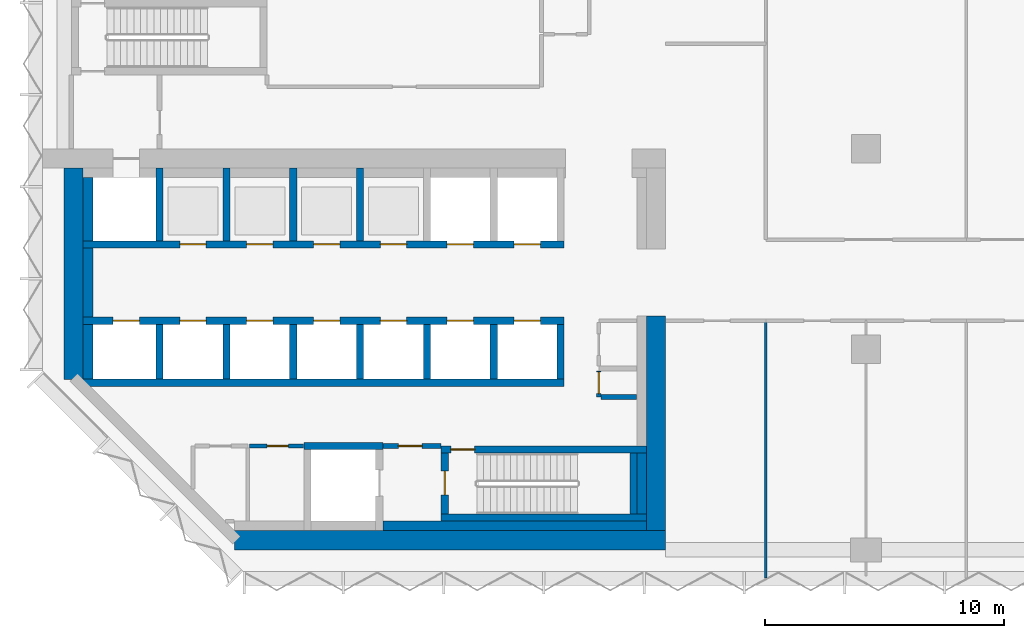
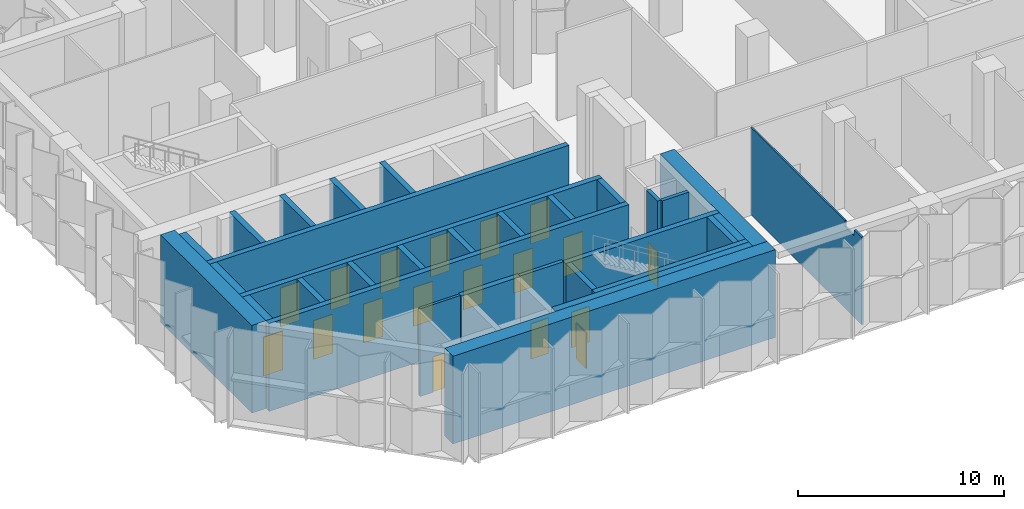
# One storey, part 8 of 15: 32 walls, 18 doors, 18 openings.
"""IFC4 building model written with IfcOpenShell, lengths in metres."""

from ifc_helpers import new_model, si_unit, direction, frame, frame_2d, origin, place, context, subcontext, project, spatial, polyline, rectangle, outline, extrude, material, layer, layer_set, type_object, element, fill, save


model = new_model("IFC4")

# Units and contexts
model_context = context("Model", 3, precision=1e-05, world=origin(), true_north=direction((0.0, 1.0)))
body_context = subcontext(model_context, "Body", "Model", "MODEL_VIEW")
ifc_project = project(units=[si_unit("LENGTHUNIT", "METRE"), si_unit("AREAUNIT", "SQUARE_METRE"), si_unit("VOLUMEUNIT", "CUBIC_METRE"), si_unit("PLANEANGLEUNIT", "RADIAN"), si_unit("MASSUNIT", "GRAM", prefix="KILO")], contexts=[model_context])

# Site, building, storey
site_placement = place(None, origin())
site = spatial("IfcSite", under=ifc_project, at=site_placement, CompositionType="ELEMENT")
building_placement = place(site_placement, origin())
building = spatial("IfcBuilding", under=site, at=building_placement, Name="Brevane Broadcast Tower", CompositionType="ELEMENT")
storey_placement = place(building_placement, frame((0.0, 0.0, 156.5)))
storey = spatial("IfcBuildingStorey", under=building, at=storey_placement, Name="L39", CompositionType="ELEMENT", Elevation=156.5)

# Walls
ifc_material_1 = material(Name="Concrete C32/40", Category="concrete")
ifc_layer_1 = layer(ifc_material_1, 0.39990234375)
ifc_layer_set_1 = layer_set([ifc_layer_1], Name="Core chase wall 400 mm")
wall_type_1 = type_object("IfcWallType", Name="Core chase wall 400 mm", PredefinedType="PARTITIONING", material=ifc_layer_set_1)
wall_1_placement = place(storey_placement, frame((1.0, 7.14990234375, 0.0), z_axis=(0.0, 0.0, 1.0), x_axis=(0.0, 1.0, 0.0)))
element("IfcWall", 1, at=wall_1_placement, inside=storey, type_object=wall_type_1, Name="L39 chase wall LW-2-1", PredefinedType="PARTITIONING", context=body_context, shape_type="SweptSolid", body=[
    extrude(rectangle(XDim=2.300048828125, YDim=0.39990234375, at=frame_2d((1.14990234375, 0.0))), origin(), (0.0, 0.0, 1.0), 5.199951171875),
])
wall_2_placement = place(storey_placement, frame((1.0, 9.75, 0.0), z_axis=(0.0, 0.0, 1.0), x_axis=(0.0, 1.0, 0.0)))
element("IfcWall", 2, at=wall_2_placement, inside=storey, type_object=wall_type_1, Name="L39 chase wall LW-2-2-1", PredefinedType="PARTITIONING", context=body_context, shape_type="SweptSolid", body=[
    extrude(rectangle(XDim=2.89990234375, YDim=0.39990234375, at=frame_2d((1.449951171875, 0.0))), origin(), (0.0, 0.0, 1.0), 5.199951171875),
])
wall_3_placement = place(storey_placement, frame((1.0, 12.949951171875, 0.0), z_axis=(0.0, 0.0, 1.0), x_axis=(0.0, 1.0, 0.0)))
element("IfcWall", 3, at=wall_3_placement, inside=storey, type_object=wall_type_1, Name="L39 chase wall LW-2-2-2", PredefinedType="PARTITIONING", context=body_context, shape_type="SweptSolid", body=[
    extrude(rectangle(XDim=2.650146484375, YDim=0.39990234375, at=frame_2d((1.3251953125, 0.0))), origin(), (0.0, 0.0, 1.0), 5.199951171875),
])
wall_4_placement = place(storey_placement, frame((13.35009765625, 1.0, 0.0), z_axis=(0.0, 0.0, 1.0), x_axis=(1.0, 0.0, 0.0)))
element("IfcWall", 4, at=wall_4_placement, inside=storey, type_object=wall_type_1, Name="L39 chase wall LS-2-2", PredefinedType="PARTITIONING", context=body_context, shape_type="SweptSolid", body=[
    extrude(rectangle(XDim=11.0498046875, YDim=0.39990234375, at=frame_2d((5.52490234375, 0.0))), origin(), (0.0, 0.0, 1.0), 5.199951171875),
])
wall_5_placement = place(storey_placement, frame((24.199951171875, 1.5, 0.0), z_axis=(0.0, 0.0, 1.0), x_axis=(0.0, 1.0, 0.0)))
element("IfcWall", 5, at=wall_5_placement, inside=storey, type_object=wall_type_1, Name="L39 chase wall LE1-2-1", PredefinedType="PARTITIONING", context=body_context, shape_type="SweptSolid", body=[
    extrude(rectangle(XDim=2.550048828125, YDim=0.39990234375, at=frame_2d((1.27490234375, 0.0))), origin(), (0.0, 0.0, 1.0), 5.199951171875),
])

# Wall, opening, door
ifc_material_2 = material(Name="Gypsum board on steel studs", Category="steel")
ifc_layer_2 = layer(ifc_material_2, 0.14990234375)
ifc_layer_set_2 = layer_set([ifc_layer_2], Name="Core fire partition 150 mm")
wall_type_2 = type_object("IfcWallType", Name="Core fire partition 150 mm", PredefinedType="PARTITIONING", material=ifc_layer_set_2)
wall_6_placement = place(storey_placement, frame((10.0380859375, 4.35009765625, 0.0), z_axis=(0.0, 0.0, 1.0), x_axis=(-1.0, 0.0, 0.0)))
wall_6 = element("IfcWall", 6, at=wall_6_placement, inside=storey, type_object=wall_type_2, Name="L39 partition wall P11", PredefinedType="PARTITIONING", context=body_context, shape_type="SweptSolid", body=[
    extrude(rectangle(XDim=2.26318359375, YDim=0.14990234375, at=frame_2d((1.131591796875, 0.0))), origin(), (0.0, 0.0, 1.0), 5.199951171875),
])
opening_1_placement = place(wall_6_placement, frame((0.637939453125, 0.0, 0.0)))
opening_1 = element("IfcOpeningElement", 7, at=opening_1_placement, cuts=wall_6, Name="Opening L39-K23", PredefinedType="OPENING", context=body_context, shape_type="SweptSolid", body=[
    extrude(rectangle(XDim=0.89990234375, YDim=2.10009765625, at=frame_2d((0.449951171875, 1.050048828125))), frame((0.0, 0.0849609375, 0.0), z_axis=(0.0, -1.0, 0.0), x_axis=(1.0, 0.0, 0.0)), (0.0, 0.0, 1.0), 0.169921875),
])
ifc_material_3 = material(Name="Timber", Category="wood")
door_type_1 = type_object("IfcDoorType", Name="Toilet door 900 x 2100", OperationType="SINGLE_SWING_LEFT", PredefinedType="DOOR", material=ifc_material_3)
door_1_placement = place(opening_1_placement, origin())
door_1 = element("IfcDoor", 8, at=door_1_placement, inside=storey, type_object=door_type_1, Name="Door L39-K23", OperationType="SINGLE_SWING_LEFT", OverallHeight=2.10009765625, OverallWidth=0.89990234375, PredefinedType="DOOR", context=body_context, shape_type="SweptSolid", body=[
    extrude(rectangle(XDim=0.89990234375, YDim=2.10009765625, at=frame_2d((0.449951171875, 1.050048828125))), frame((0.0, 0.02490234375, 0.0), z_axis=(0.0, -1.0, 0.0), x_axis=(1.0, 0.0, 0.0)), (0.0, 0.0, 1.0), 0.050048828125),
])
fill(opening_1, door_1)

ifc_layer_3 = layer(ifc_material_2, 0.199951171875)
ifc_layer_set_3 = layer_set([ifc_layer_3], Name="Core fire partition 200 mm")
wall_type_3 = type_object("IfcWallType", Name="Core fire partition 200 mm", PredefinedType="PARTITIONING", material=ifc_layer_set_3)
wall_7_placement = place(storey_placement, frame((13.362060546875, 4.35009765625, 0.0), z_axis=(0.0, 0.0, 1.0), x_axis=(1.0, 0.0, 0.0)))
wall_7 = element("IfcWall", 9, at=wall_7_placement, inside=storey, type_object=wall_type_3, Name="L39 partition wall P03", PredefinedType="PARTITIONING", context=body_context, shape_type="SweptSolid", body=[
    extrude(rectangle(XDim=2.426025390625, YDim=0.199951171875, at=frame_2d((1.212890625, 0.0))), origin(), (0.0, 0.0, 1.0), 5.199951171875),
])
opening_2_placement = place(wall_7_placement, frame((0.637939453125, 0.0, 0.0)))
opening_2 = element("IfcOpeningElement", 10, at=opening_2_placement, cuts=wall_7, Name="Opening L39-K24", PredefinedType="OPENING", context=body_context, shape_type="SweptSolid", body=[
    extrude(rectangle(XDim=1.0, YDim=2.10009765625, at=frame_2d((0.5, 1.050048828125))), frame((0.0, 0.10986328125, 0.0), z_axis=(0.0, -1.0, 0.0), x_axis=(1.0, 0.0, 0.0)), (0.0, 0.0, 1.0), 0.219970703125),
])
ifc_material_4 = material(Name="Steel", Category="steel")
door_type_2 = type_object("IfcDoorType", Name="Stair door 1000 x 2100", OperationType="SINGLE_SWING_LEFT", PredefinedType="DOOR", material=ifc_material_4)
door_2_placement = place(opening_2_placement, origin())
door_2 = element("IfcDoor", 11, at=door_2_placement, inside=storey, type_object=door_type_2, Name="Door L39-K24", OperationType="SINGLE_SWING_RIGHT", OverallHeight=2.10009765625, OverallWidth=1.0, PredefinedType="DOOR", context=body_context, shape_type="SweptSolid", body=[
    extrude(rectangle(XDim=1.0, YDim=2.10009765625, at=frame_2d((0.5, 1.050048828125))), frame((0.0, 0.02490234375, 0.0), z_axis=(0.0, -1.0, 0.0), x_axis=(1.0, 0.0, 0.0)), (0.0, 0.0, 1.0), 0.050048828125),
])
fill(opening_2, door_2)

wall_8_placement = place(storey_placement, frame((22.39990234375, 7.5, 0.0), z_axis=(0.0, 0.0, 1.0), x_axis=(0.0, -1.0, 0.0)))
wall_8 = element("IfcWall", 12, at=wall_8_placement, inside=storey, type_object=wall_type_3, Name="L39 partition wall P05", PredefinedType="PARTITIONING", context=body_context, shape_type="SweptSolid", body=[
    extrude(rectangle(XDim=1.10009765625, YDim=0.199951171875, at=frame_2d((0.550048828125, 0.0))), origin(), (0.0, 0.0, 1.0), 5.199951171875),
])
opening_3_placement = place(wall_8_placement, frame((0.050048828125, 0.0, 0.0)))
opening_3 = element("IfcOpeningElement", 13, at=opening_3_placement, cuts=wall_8, Name="Opening L39-K25", PredefinedType="OPENING", context=body_context, shape_type="SweptSolid", body=[
    extrude(rectangle(XDim=0.89990234375, YDim=2.10009765625, at=frame_2d((0.449951171875, 1.050048828125))), frame((0.0, 0.10986328125, 0.0), z_axis=(0.0, -1.0, 0.0), x_axis=(1.0, 0.0, 0.0)), (0.0, 0.0, 1.0), 0.219970703125),
])
door_type_3 = type_object("IfcDoorType", Name="Service room door 900 x 2100", OperationType="SINGLE_SWING_LEFT", PredefinedType="DOOR", material=ifc_material_4)
door_3_placement = place(opening_3_placement, origin())
door_3 = element("IfcDoor", 14, at=door_3_placement, inside=storey, type_object=door_type_3, Name="Door L39-K25", OperationType="SINGLE_SWING_LEFT", OverallHeight=2.10009765625, OverallWidth=0.89990234375, PredefinedType="DOOR", context=body_context, shape_type="SweptSolid", body=[
    extrude(rectangle(XDim=0.89990234375, YDim=2.10009765625, at=frame_2d((0.449951171875, 1.050048828125))), frame((0.0, 0.02490234375, 0.0), z_axis=(0.0, -1.0, 0.0), x_axis=(1.0, 0.0, 0.0)), (0.0, 0.0, 1.0), 0.050048828125),
])
fill(opening_3, door_3)

# Walls
wall_9_placement = place(storey_placement, frame((22.5, 6.39990234375, 0.0), z_axis=(0.0, 0.0, 1.0), x_axis=(1.0, 0.0, 0.0)))
element("IfcWall", 15, at=wall_9_placement, inside=storey, type_object=wall_type_3, Name="L39 partition wall P06", PredefinedType="PARTITIONING", context=body_context, shape_type="SweptSolid", body=[
    extrude(rectangle(XDim=1.488037109375, YDim=0.199951171875, at=frame_2d((0.744140625, 0.0))), origin(), (0.0, 0.0, 1.0), 5.199951171875),
])
ifc_material_5 = material(Name="Concrete C60/75", Category="concrete")
ifc_layer_4 = layer(ifc_material_5, 0.300048828125)
ifc_layer_set_4 = layer_set([ifc_layer_4], Name="Core wall 300 mm C60/75")
wall_type_4 = type_object("IfcWallType", Name="Core wall 300 mm C60/75", PredefinedType="SHEAR", material=ifc_layer_set_4)
wall_10_placement = place(storey_placement, frame((0.800048828125, 7.0, 0.0), z_axis=(0.0, 0.0, 1.0), x_axis=(1.0, 0.0, 0.0)))
element("IfcWall", 16, at=wall_10_placement, inside=storey, type_object=wall_type_4, Name="L39 shaft wall SH-S012-back", PredefinedType="SHEAR", context=body_context, shape_type="SweptSolid", body=[
    extrude(rectangle(XDim=20.14990234375, YDim=0.300048828125, at=frame_2d((10.074951171875, 0.0))), origin(), (0.0, 0.0, 1.0), 5.199951171875),
])

# Wall, openings, doors
wall_11_placement = place(storey_placement, frame((0.800048828125, 9.60009765625, 0.0), z_axis=(0.0, 0.0, 1.0), x_axis=(1.0, 0.0, 0.0)))
wall_11 = element("IfcWall", 17, at=wall_11_placement, inside=storey, type_object=wall_type_4, Name="L39 shaft wall SH-S012-front", PredefinedType="SHEAR", context=body_context, shape_type="SweptSolid", body=[
    extrude(rectangle(XDim=20.14990234375, YDim=0.300048828125, at=frame_2d((10.074951171875, 0.0))), origin(), (0.0, 0.0, 1.0), 5.199951171875),
])
opening_4_placement = place(wall_11_placement, frame((1.25, 0.0, 0.0)))
opening_4 = element("IfcOpeningElement", 18, at=opening_4_placement, cuts=wall_11, Name="Opening LD", PredefinedType="OPENING", context=body_context, shape_type="SweptSolid", body=[
    extrude(rectangle(XDim=1.10009765625, YDim=2.300048828125, at=frame_2d((0.550048828125, 1.14990234375))), frame((0.0, 0.159912109375, 0.0), z_axis=(0.0, -1.0, 0.0), x_axis=(1.0, 0.0, 0.0)), (0.0, 0.0, 1.0), 0.320068359375),
])
opening_5_placement = place(wall_11_placement, frame((4.050048828125, 0.0, 0.0)))
opening_5 = element("IfcOpeningElement", 19, at=opening_5_placement, cuts=wall_11, Name="Opening LD", PredefinedType="OPENING", context=body_context, shape_type="SweptSolid", body=[
    extrude(rectangle(XDim=1.10009765625, YDim=2.300048828125, at=frame_2d((0.550048828125, 1.14990234375))), frame((0.0, 0.159912109375, 0.0), z_axis=(0.0, -1.0, 0.0), x_axis=(1.0, 0.0, 0.0)), (0.0, 0.0, 1.0), 0.320068359375),
])
opening_6_placement = place(wall_11_placement, frame((6.85009765625, 0.0, 0.0)))
opening_6 = element("IfcOpeningElement", 20, at=opening_6_placement, cuts=wall_11, Name="Opening LD", PredefinedType="OPENING", context=body_context, shape_type="SweptSolid", body=[
    extrude(rectangle(XDim=1.10009765625, YDim=2.300048828125, at=frame_2d((0.550048828125, 1.14990234375))), frame((0.0, 0.159912109375, 0.0), z_axis=(0.0, -1.0, 0.0), x_axis=(1.0, 0.0, 0.0)), (0.0, 0.0, 1.0), 0.320068359375),
])
opening_7_placement = place(wall_11_placement, frame((9.64990234375, 0.0, 0.0)))
opening_7 = element("IfcOpeningElement", 21, at=opening_7_placement, cuts=wall_11, Name="Opening LD", PredefinedType="OPENING", context=body_context, shape_type="SweptSolid", body=[
    extrude(rectangle(XDim=1.10009765625, YDim=2.300048828125, at=frame_2d((0.550048828125, 1.14990234375))), frame((0.0, 0.159912109375, 0.0), z_axis=(0.0, -1.0, 0.0), x_axis=(1.0, 0.0, 0.0)), (0.0, 0.0, 1.0), 0.320068359375),
])
opening_8_placement = place(wall_11_placement, frame((12.449951171875, 0.0, 0.0)))
opening_8 = element("IfcOpeningElement", 22, at=opening_8_placement, cuts=wall_11, Name="Opening LD", PredefinedType="OPENING", context=body_context, shape_type="SweptSolid", body=[
    extrude(rectangle(XDim=1.10009765625, YDim=2.300048828125, at=frame_2d((0.550048828125, 1.14990234375))), frame((0.0, 0.159912109375, 0.0), z_axis=(0.0, -1.0, 0.0), x_axis=(1.0, 0.0, 0.0)), (0.0, 0.0, 1.0), 0.320068359375),
])
opening_9_placement = place(wall_11_placement, frame((15.25, 0.0, 0.0)))
opening_9 = element("IfcOpeningElement", 23, at=opening_9_placement, cuts=wall_11, Name="Opening LD", PredefinedType="OPENING", context=body_context, shape_type="SweptSolid", body=[
    extrude(rectangle(XDim=1.10009765625, YDim=2.300048828125, at=frame_2d((0.550048828125, 1.14990234375))), frame((0.0, 0.159912109375, 0.0), z_axis=(0.0, -1.0, 0.0), x_axis=(1.0, 0.0, 0.0)), (0.0, 0.0, 1.0), 0.320068359375),
])
opening_10_placement = place(wall_11_placement, frame((18.050048828125, 0.0, 0.0)))
opening_10 = element("IfcOpeningElement", 24, at=opening_10_placement, cuts=wall_11, Name="Opening LD", PredefinedType="OPENING", context=body_context, shape_type="SweptSolid", body=[
    extrude(rectangle(XDim=1.10009765625, YDim=2.300048828125, at=frame_2d((0.550048828125, 1.14990234375))), frame((0.0, 0.159912109375, 0.0), z_axis=(0.0, -1.0, 0.0), x_axis=(1.0, 0.0, 0.0)), (0.0, 0.0, 1.0), 0.320068359375),
])
ifc_material_6 = material(Name="Stainless steel", Category="steel")
door_type_4 = type_object("IfcDoorType", Name="Lift landing door", OperationType="SLIDING_TO_LEFT", PredefinedType="DOOR", material=ifc_material_6)
door_4_placement = place(opening_4_placement, origin())
door_4 = element("IfcDoor", 25, at=door_4_placement, inside=storey, type_object=door_type_4, Name="Landing door LR1 L39", OperationType="SLIDING_TO_LEFT", OverallHeight=2.300048828125, OverallWidth=1.10009765625, PredefinedType="DOOR", context=body_context, shape_type="SweptSolid", body=[
    extrude(rectangle(XDim=1.10009765625, YDim=2.300048828125, at=frame_2d((0.550048828125, 1.14990234375))), frame((0.0, 0.02490234375, 0.0), z_axis=(0.0, -1.0, 0.0), x_axis=(1.0, 0.0, 0.0)), (0.0, 0.0, 1.0), 0.050048828125),
])
fill(opening_4, door_4)
door_5_placement = place(opening_5_placement, origin())
door_5 = element("IfcDoor", 26, at=door_5_placement, inside=storey, type_object=door_type_4, Name="Landing door LR2 L39", OperationType="SLIDING_TO_LEFT", OverallHeight=2.300048828125, OverallWidth=1.10009765625, PredefinedType="DOOR", context=body_context, shape_type="SweptSolid", body=[
    extrude(rectangle(XDim=1.10009765625, YDim=2.300048828125, at=frame_2d((0.550048828125, 1.14990234375))), frame((0.0, 0.02490234375, 0.0), z_axis=(0.0, -1.0, 0.0), x_axis=(1.0, 0.0, 0.0)), (0.0, 0.0, 1.0), 0.050048828125),
])
fill(opening_5, door_5)
door_6_placement = place(opening_6_placement, origin())
door_6 = element("IfcDoor", 27, at=door_6_placement, inside=storey, type_object=door_type_4, Name="Landing door LR3 L39", OperationType="SLIDING_TO_LEFT", OverallHeight=2.300048828125, OverallWidth=1.10009765625, PredefinedType="DOOR", context=body_context, shape_type="SweptSolid", body=[
    extrude(rectangle(XDim=1.10009765625, YDim=2.300048828125, at=frame_2d((0.550048828125, 1.14990234375))), frame((0.0, 0.02490234375, 0.0), z_axis=(0.0, -1.0, 0.0), x_axis=(1.0, 0.0, 0.0)), (0.0, 0.0, 1.0), 0.050048828125),
])
fill(opening_6, door_6)
door_7_placement = place(opening_7_placement, origin())
door_7 = element("IfcDoor", 28, at=door_7_placement, inside=storey, type_object=door_type_4, Name="Landing door LR4 L39", OperationType="SLIDING_TO_LEFT", OverallHeight=2.300048828125, OverallWidth=1.10009765625, PredefinedType="DOOR", context=body_context, shape_type="SweptSolid", body=[
    extrude(rectangle(XDim=1.10009765625, YDim=2.300048828125, at=frame_2d((0.550048828125, 1.14990234375))), frame((0.0, 0.02490234375, 0.0), z_axis=(0.0, -1.0, 0.0), x_axis=(1.0, 0.0, 0.0)), (0.0, 0.0, 1.0), 0.050048828125),
])
fill(opening_7, door_7)
door_8_placement = place(opening_8_placement, origin())
door_8 = element("IfcDoor", 29, at=door_8_placement, inside=storey, type_object=door_type_4, Name="Landing door LR5 L39", OperationType="SLIDING_TO_LEFT", OverallHeight=2.300048828125, OverallWidth=1.10009765625, PredefinedType="DOOR", context=body_context, shape_type="SweptSolid", body=[
    extrude(rectangle(XDim=1.10009765625, YDim=2.300048828125, at=frame_2d((0.550048828125, 1.14990234375))), frame((0.0, 0.02490234375, 0.0), z_axis=(0.0, -1.0, 0.0), x_axis=(1.0, 0.0, 0.0)), (0.0, 0.0, 1.0), 0.050048828125),
])
fill(opening_8, door_8)
door_9_placement = place(opening_9_placement, origin())
door_9 = element("IfcDoor", 30, at=door_9_placement, inside=storey, type_object=door_type_4, Name="Landing door LR6 L39", OperationType="SLIDING_TO_LEFT", OverallHeight=2.300048828125, OverallWidth=1.10009765625, PredefinedType="DOOR", context=body_context, shape_type="SweptSolid", body=[
    extrude(rectangle(XDim=1.10009765625, YDim=2.300048828125, at=frame_2d((0.550048828125, 1.14990234375))), frame((0.0, 0.02490234375, 0.0), z_axis=(0.0, -1.0, 0.0), x_axis=(1.0, 0.0, 0.0)), (0.0, 0.0, 1.0), 0.050048828125),
])
fill(opening_9, door_9)
door_10_placement = place(opening_10_placement, origin())
door_10 = element("IfcDoor", 31, at=door_10_placement, inside=storey, type_object=door_type_4, Name="Landing door SH1 L39", OperationType="SLIDING_TO_LEFT", OverallHeight=2.300048828125, OverallWidth=1.10009765625, PredefinedType="DOOR", context=body_context, shape_type="SweptSolid", body=[
    extrude(rectangle(XDim=1.10009765625, YDim=2.300048828125, at=frame_2d((0.550048828125, 1.14990234375))), frame((0.0, 0.02490234375, 0.0), z_axis=(0.0, -1.0, 0.0), x_axis=(1.0, 0.0, 0.0)), (0.0, 0.0, 1.0), 0.050048828125),
])
fill(opening_10, door_10)

# Walls
for number, where, z_axis, x_axis, name in (
    (32, (4.0, 7.14990234375, 0.0), (0.0, 0.0, 1.0), (0.0, 1.0, 0.0), "L39 shaft wall SH-S-P040"),
    (33, (6.800048828125, 7.14990234375, 0.0), (0.0, 0.0, 1.0), (0.0, 1.0, 0.0), "L39 shaft wall SH-S-P068"),
    (34, (9.60009765625, 7.14990234375, 0.0), (0.0, 0.0, 1.0), (0.0, 1.0, 0.0), "L39 shaft wall SH-S-P096"),
    (35, (12.39990234375, 7.14990234375, 0.0), (0.0, 0.0, 1.0), (0.0, 1.0, 0.0), "L39 shaft wall SH-S-P124"),
    (36, (15.199951171875, 7.14990234375, 0.0), (0.0, 0.0, 1.0), (0.0, 1.0, 0.0), "L39 shaft wall SH-S-P152"),
    (37, (18.0, 7.14990234375, 0.0), (0.0, 0.0, 1.0), (0.0, 1.0, 0.0), "L39 shaft wall SH-S-P180"),
    (38, (20.800048828125, 7.14990234375, 0.0), (0.0, 0.0, 1.0), (0.0, 1.0, 0.0), "L39 shaft wall SH-S-P208"),
):
    element("IfcWall", number, at=place(storey_placement, frame(where, z_axis=z_axis, x_axis=x_axis)), inside=storey, type_object=wall_type_4, Name=name, PredefinedType="SHEAR", context=body_context, shape_type="SweptSolid", body=[
        extrude(rectangle(XDim=2.300048828125, YDim=0.300048828125, at=frame_2d((1.14990234375, 0.0))), origin(), (0.0, 0.0, 1.0), 5.199951171875),
    ])

# Wall, openings, doors
wall_12_placement = place(storey_placement, frame((0.800048828125, 12.800048828125, 0.0), z_axis=(0.0, 0.0, 1.0), x_axis=(1.0, 0.0, 0.0)))
wall_12 = element("IfcWall", 39, at=wall_12_placement, inside=storey, type_object=wall_type_4, Name="L39 shaft wall SH-N012-front", PredefinedType="SHEAR", context=body_context, shape_type="SweptSolid", body=[
    extrude(rectangle(XDim=20.14990234375, YDim=0.300048828125, at=frame_2d((10.074951171875, 0.0))), origin(), (0.0, 0.0, 1.0), 5.199951171875),
])
opening_11_placement = place(wall_12_placement, frame((4.050048828125, 0.0, 0.0)))
opening_11 = element("IfcOpeningElement", 40, at=opening_11_placement, cuts=wall_12, Name="Opening LD", PredefinedType="OPENING", context=body_context, shape_type="SweptSolid", body=[
    extrude(rectangle(XDim=1.10009765625, YDim=2.300048828125, at=frame_2d((0.550048828125, 1.14990234375))), frame((0.0, 0.159912109375, 0.0), z_axis=(0.0, -1.0, 0.0), x_axis=(1.0, 0.0, 0.0)), (0.0, 0.0, 1.0), 0.320068359375),
])
opening_12_placement = place(wall_12_placement, frame((6.85009765625, 0.0, 0.0)))
opening_12 = element("IfcOpeningElement", 41, at=opening_12_placement, cuts=wall_12, Name="Opening LD", PredefinedType="OPENING", context=body_context, shape_type="SweptSolid", body=[
    extrude(rectangle(XDim=1.10009765625, YDim=2.300048828125, at=frame_2d((0.550048828125, 1.14990234375))), frame((0.0, 0.159912109375, 0.0), z_axis=(0.0, -1.0, 0.0), x_axis=(1.0, 0.0, 0.0)), (0.0, 0.0, 1.0), 0.320068359375),
])
opening_13_placement = place(wall_12_placement, frame((9.64990234375, 0.0, 0.0)))
opening_13 = element("IfcOpeningElement", 42, at=opening_13_placement, cuts=wall_12, Name="Opening LD", PredefinedType="OPENING", context=body_context, shape_type="SweptSolid", body=[
    extrude(rectangle(XDim=1.10009765625, YDim=2.300048828125, at=frame_2d((0.550048828125, 1.14990234375))), frame((0.0, 0.159912109375, 0.0), z_axis=(0.0, -1.0, 0.0), x_axis=(1.0, 0.0, 0.0)), (0.0, 0.0, 1.0), 0.320068359375),
])
opening_14_placement = place(wall_12_placement, frame((12.449951171875, 0.0, 0.0)))
opening_14 = element("IfcOpeningElement", 43, at=opening_14_placement, cuts=wall_12, Name="Opening LD", PredefinedType="OPENING", context=body_context, shape_type="SweptSolid", body=[
    extrude(rectangle(XDim=1.10009765625, YDim=2.300048828125, at=frame_2d((0.550048828125, 1.14990234375))), frame((0.0, 0.159912109375, 0.0), z_axis=(0.0, -1.0, 0.0), x_axis=(1.0, 0.0, 0.0)), (0.0, 0.0, 1.0), 0.320068359375),
])
opening_15_placement = place(wall_12_placement, frame((15.25, 0.0, 0.0)))
opening_15 = element("IfcOpeningElement", 44, at=opening_15_placement, cuts=wall_12, Name="Opening LD", PredefinedType="OPENING", context=body_context, shape_type="SweptSolid", body=[
    extrude(rectangle(XDim=1.10009765625, YDim=2.300048828125, at=frame_2d((0.550048828125, 1.14990234375))), frame((0.0, 0.159912109375, 0.0), z_axis=(0.0, -1.0, 0.0), x_axis=(1.0, 0.0, 0.0)), (0.0, 0.0, 1.0), 0.320068359375),
])
opening_16_placement = place(wall_12_placement, frame((18.050048828125, 0.0, 0.0)))
opening_16 = element("IfcOpeningElement", 45, at=opening_16_placement, cuts=wall_12, Name="Opening LD", PredefinedType="OPENING", context=body_context, shape_type="SweptSolid", body=[
    extrude(rectangle(XDim=1.10009765625, YDim=2.300048828125, at=frame_2d((0.550048828125, 1.14990234375))), frame((0.0, 0.159912109375, 0.0), z_axis=(0.0, -1.0, 0.0), x_axis=(1.0, 0.0, 0.0)), (0.0, 0.0, 1.0), 0.320068359375),
])
door_11_placement = place(opening_11_placement, origin())
door_11 = element("IfcDoor", 46, at=door_11_placement, inside=storey, type_object=door_type_4, Name="Landing door HR1 L39", OperationType="SLIDING_TO_LEFT", OverallHeight=2.300048828125, OverallWidth=1.10009765625, PredefinedType="DOOR", context=body_context, shape_type="SweptSolid", body=[
    extrude(rectangle(XDim=1.10009765625, YDim=2.300048828125, at=frame_2d((0.550048828125, 1.14990234375))), frame((0.0, 0.02490234375, 0.0), z_axis=(0.0, -1.0, 0.0), x_axis=(1.0, 0.0, 0.0)), (0.0, 0.0, 1.0), 0.050048828125),
])
fill(opening_11, door_11)
door_12_placement = place(opening_12_placement, origin())
door_12 = element("IfcDoor", 47, at=door_12_placement, inside=storey, type_object=door_type_4, Name="Landing door HR2 L39", OperationType="SLIDING_TO_LEFT", OverallHeight=2.300048828125, OverallWidth=1.10009765625, PredefinedType="DOOR", context=body_context, shape_type="SweptSolid", body=[
    extrude(rectangle(XDim=1.10009765625, YDim=2.300048828125, at=frame_2d((0.550048828125, 1.14990234375))), frame((0.0, 0.02490234375, 0.0), z_axis=(0.0, -1.0, 0.0), x_axis=(1.0, 0.0, 0.0)), (0.0, 0.0, 1.0), 0.050048828125),
])
fill(opening_12, door_12)
door_13_placement = place(opening_13_placement, origin())
door_13 = element("IfcDoor", 48, at=door_13_placement, inside=storey, type_object=door_type_4, Name="Landing door HR3 L39", OperationType="SLIDING_TO_LEFT", OverallHeight=2.300048828125, OverallWidth=1.10009765625, PredefinedType="DOOR", context=body_context, shape_type="SweptSolid", body=[
    extrude(rectangle(XDim=1.10009765625, YDim=2.300048828125, at=frame_2d((0.550048828125, 1.14990234375))), frame((0.0, 0.02490234375, 0.0), z_axis=(0.0, -1.0, 0.0), x_axis=(1.0, 0.0, 0.0)), (0.0, 0.0, 1.0), 0.050048828125),
])
fill(opening_13, door_13)
door_14_placement = place(opening_14_placement, origin())
door_14 = element("IfcDoor", 49, at=door_14_placement, inside=storey, type_object=door_type_4, Name="Landing door HR4 L39", OperationType="SLIDING_TO_LEFT", OverallHeight=2.300048828125, OverallWidth=1.10009765625, PredefinedType="DOOR", context=body_context, shape_type="SweptSolid", body=[
    extrude(rectangle(XDim=1.10009765625, YDim=2.300048828125, at=frame_2d((0.550048828125, 1.14990234375))), frame((0.0, 0.02490234375, 0.0), z_axis=(0.0, -1.0, 0.0), x_axis=(1.0, 0.0, 0.0)), (0.0, 0.0, 1.0), 0.050048828125),
])
fill(opening_14, door_14)
door_15_placement = place(opening_15_placement, origin())
door_15 = element("IfcDoor", 50, at=door_15_placement, inside=storey, type_object=door_type_4, Name="Landing door SH2 L39", OperationType="SLIDING_TO_LEFT", OverallHeight=2.300048828125, OverallWidth=1.10009765625, PredefinedType="DOOR", context=body_context, shape_type="SweptSolid", body=[
    extrude(rectangle(XDim=1.10009765625, YDim=2.300048828125, at=frame_2d((0.550048828125, 1.14990234375))), frame((0.0, 0.02490234375, 0.0), z_axis=(0.0, -1.0, 0.0), x_axis=(1.0, 0.0, 0.0)), (0.0, 0.0, 1.0), 0.050048828125),
])
fill(opening_15, door_15)
door_16_placement = place(opening_16_placement, origin())
door_16 = element("IfcDoor", 51, at=door_16_placement, inside=storey, type_object=door_type_4, Name="Landing door SL1 L39", OperationType="SLIDING_TO_LEFT", OverallHeight=2.300048828125, OverallWidth=1.10009765625, PredefinedType="DOOR", context=body_context, shape_type="SweptSolid", body=[
    extrude(rectangle(XDim=1.10009765625, YDim=2.300048828125, at=frame_2d((0.550048828125, 1.14990234375))), frame((0.0, 0.02490234375, 0.0), z_axis=(0.0, -1.0, 0.0), x_axis=(1.0, 0.0, 0.0)), (0.0, 0.0, 1.0), 0.050048828125),
])
fill(opening_16, door_16)

# Walls
for number, where, z_axis, x_axis, name in (
    (52, (4.0, 12.949951171875, 0.0), (0.0, 0.0, 1.0), (0.0, 1.0, 0.0), "L39 shaft wall SH-N-P040"),
    (53, (6.800048828125, 12.949951171875, 0.0), (0.0, 0.0, 1.0), (0.0, 1.0, 0.0), "L39 shaft wall SH-N-P068"),
    (54, (9.60009765625, 12.949951171875, 0.0), (0.0, 0.0, 1.0), (0.0, 1.0, 0.0), "L39 shaft wall SH-N-P096"),
    (55, (12.39990234375, 12.949951171875, 0.0), (0.0, 0.0, 1.0), (0.0, 1.0, 0.0), "L39 shaft wall SH-N-P124"),
):
    element("IfcWall", number, at=place(storey_placement, frame(where, z_axis=z_axis, x_axis=x_axis)), inside=storey, type_object=wall_type_4, Name=name, PredefinedType="SHEAR", context=body_context, shape_type="SweptSolid", body=[
        extrude(rectangle(XDim=3.050048828125, YDim=0.300048828125, at=frame_2d((1.52490234375, 0.0))), origin(), (0.0, 0.0, 1.0), 5.199951171875),
    ])
wall_13_placement = place(storey_placement, frame((10.050048828125, 4.35009765625, 0.0), z_axis=(0.0, 0.0, 1.0), x_axis=(1.0, 0.0, 0.0)))
element("IfcWall", 56, at=wall_13_placement, inside=storey, type_object=wall_type_4, Name="L39 shaft wall FF2-N", PredefinedType="SHEAR", context=body_context, shape_type="SweptSolid", body=[
    extrude(rectangle(XDim=3.300048828125, YDim=0.300048828125, at=frame_2d((1.64990234375, 0.0))), origin(), (0.0, 0.0, 1.0), 5.199951171875),
])
wall_14_placement = place(storey_placement, frame((15.800048828125, 1.35009765625, 0.0), z_axis=(0.0, 0.0, 1.0), x_axis=(1.0, 0.0, 0.0)))
element("IfcWall", 57, at=wall_14_placement, inside=storey, type_object=wall_type_4, Name="L39 stair wall ST-2-S", PredefinedType="SHEAR", context=body_context, shape_type="SweptSolid", body=[
    extrude(rectangle(XDim=8.599853515625, YDim=0.300048828125, at=frame_2d((4.2998046875, 0.0))), origin(), (0.0, 0.0, 1.0), 5.199951171875),
])

# Wall, opening, door
wall_15_placement = place(storey_placement, frame((15.800048828125, 4.199951171875, 0.0), z_axis=(0.0, 0.0, 1.0), x_axis=(1.0, 0.0, 0.0)))
wall_15 = element("IfcWall", 58, at=wall_15_placement, inside=storey, type_object=wall_type_4, Name="L39 stair wall ST-2-N", PredefinedType="SHEAR", context=body_context, shape_type="SweptSolid", body=[
    extrude(rectangle(XDim=8.599853515625, YDim=0.300048828125, at=frame_2d((4.2998046875, 0.0))), origin(), (0.0, 0.0, 1.0), 5.199951171875),
])
opening_17_placement = place(wall_15_placement, frame((0.39990234375, 0.0, 0.0)))
opening_17 = element("IfcOpeningElement", 59, at=opening_17_placement, cuts=wall_15, Name="Opening L39-K19", PredefinedType="OPENING", context=body_context, shape_type="SweptSolid", body=[
    extrude(rectangle(XDim=1.0, YDim=2.10009765625, at=frame_2d((0.5, 1.050048828125))), frame((0.0, 0.159912109375, 0.0), z_axis=(0.0, -1.0, 0.0), x_axis=(1.0, 0.0, 0.0)), (0.0, 0.0, 1.0), 0.320068359375),
])
door_17_placement = place(opening_17_placement, origin())
door_17 = element("IfcDoor", 60, at=door_17_placement, inside=storey, type_object=door_type_2, Name="Door L39-K19", OperationType="SINGLE_SWING_LEFT", OverallHeight=2.10009765625, OverallWidth=1.0, PredefinedType="DOOR", context=body_context, shape_type="SweptSolid", body=[
    extrude(rectangle(XDim=1.0, YDim=2.10009765625, at=frame_2d((0.5, 1.050048828125))), frame((0.0, 0.02490234375, 0.0), z_axis=(0.0, -1.0, 0.0), x_axis=(1.0, 0.0, 0.0)), (0.0, 0.0, 1.0), 0.050048828125),
])
fill(opening_17, door_17)

wall_16_placement = place(storey_placement, frame((15.949951171875, 1.5, 0.0), z_axis=(0.0, 0.0, 1.0), x_axis=(0.0, 1.0, 0.0)))
wall_16 = element("IfcWall", 61, at=wall_16_placement, inside=storey, type_object=wall_type_4, Name="L39 stair wall ST-2-W", PredefinedType="SHEAR", context=body_context, shape_type="SweptSolid", body=[
    extrude(rectangle(XDim=2.550048828125, YDim=0.300048828125, at=frame_2d((1.27490234375, 0.0))), origin(), (0.0, 0.0, 1.0), 5.199951171875),
])
opening_18_placement = place(wall_16_placement, frame((0.800048828125, 0.0, 0.0)))
opening_18 = element("IfcOpeningElement", 62, at=opening_18_placement, cuts=wall_16, Name="Opening L39-K18", PredefinedType="OPENING", context=body_context, shape_type="SweptSolid", body=[
    extrude(rectangle(XDim=1.0, YDim=2.10009765625, at=frame_2d((0.5, 1.050048828125))), frame((0.0, 0.159912109375, 0.0), z_axis=(0.0, -1.0, 0.0), x_axis=(1.0, 0.0, 0.0)), (0.0, 0.0, 1.0), 0.320068359375),
])
door_18_placement = place(opening_18_placement, origin())
door_18 = element("IfcDoor", 63, at=door_18_placement, inside=storey, type_object=door_type_2, Name="Door L39-K18", OperationType="SINGLE_SWING_RIGHT", OverallHeight=2.10009765625, OverallWidth=1.0, PredefinedType="DOOR", context=body_context, shape_type="SweptSolid", body=[
    extrude(rectangle(XDim=1.0, YDim=2.10009765625, at=frame_2d((0.5, 1.050048828125))), frame((0.0, 0.02490234375, 0.0), z_axis=(0.0, -1.0, 0.0), x_axis=(1.0, 0.0, 0.0)), (0.0, 0.0, 1.0), 0.050048828125),
])
fill(opening_18, door_18)

# Walls
wall_17_placement = place(storey_placement, frame((23.85009765625, 1.5, 0.0), z_axis=(0.0, 0.0, 1.0), x_axis=(0.0, 1.0, 0.0)))
element("IfcWall", 64, at=wall_17_placement, inside=storey, type_object=wall_type_4, Name="L39 stair wall ST-2-E", PredefinedType="SHEAR", context=body_context, shape_type="SweptSolid", body=[
    extrude(rectangle(XDim=2.550048828125, YDim=0.300048828125, at=frame_2d((1.27490234375, 0.0))), origin(), (0.0, 0.0, 1.0), 5.199951171875),
])
ifc_layer_5 = layer(ifc_material_5, 0.800048828125)
ifc_layer_set_5 = layer_set([ifc_layer_5], Name="Core wall 800 mm C60/75")
wall_type_5 = type_object("IfcWallType", Name="Core wall 800 mm C60/75", PredefinedType="SHEAR", material=ifc_layer_set_5)
wall_18_placement = place(storey_placement, frame((7.136474609375, 0.39990234375, 0.0), z_axis=(0.0, 0.0, 1.0), x_axis=(1.0, 0.0, 0.0)))
element("IfcWall", 65, at=wall_18_placement, inside=storey, type_object=wall_type_5, Name="L39 outer wall WS", PredefinedType="SHEAR", context=body_context, shape_type="SweptSolid", body=[
    extrude(rectangle(XDim=18.0634765625, YDim=0.800048828125, at=frame_2d((9.03173828125, 0.0))), origin(), (0.0, 0.0, 1.0), 5.199951171875),
])
wall_19_placement = place(storey_placement, frame((0.39990234375, 7.136474609375, 0.0), z_axis=(0.0, 0.0, 1.0), x_axis=(0.0, 1.0, 0.0)))
element("IfcWall", 66, at=wall_19_placement, inside=storey, type_object=wall_type_5, Name="L39 outer wall WW", PredefinedType="SHEAR", context=body_context, shape_type="SweptSolid", body=[
    extrude(rectangle(XDim=8.863525390625, YDim=0.800048828125, at=frame_2d((4.431640625, 0.0))), origin(), (0.0, 0.0, 1.0), 5.199951171875),
])
wall_20_placement = place(storey_placement, frame((24.800048828125, 0.800048828125, 0.0), z_axis=(0.0, 0.0, 1.0), x_axis=(0.0, 1.0, 0.0)))
element("IfcWall", 67, at=wall_20_placement, inside=storey, type_object=wall_type_5, Name="L39 outer wall WE1", PredefinedType="SHEAR", context=body_context, shape_type="SweptSolid", body=[
    extrude(rectangle(XDim=9.0, YDim=0.800048828125, at=frame_2d((4.5, 0.0))), origin(), (0.0, 0.0, 1.0), 5.199951171875),
])
ifc_material_7 = material(Name="Gypsum board partition")
ifc_layer_6 = layer(ifc_material_7, 0.10009765625)
ifc_layer_set_6 = layer_set([ifc_layer_6], Name="PARTITION 100 STUD")
wall_type_6 = type_object("IfcWallType", Name="PARTITION 100 STUD", PredefinedType="PARTITIONING", material=ifc_layer_set_6)
wall_21_placement = place(storey_placement, frame((29.39990234375, 9.60009765625, 0.0), z_axis=(0.0, 0.0, 1.0), x_axis=(0.0, -1.0, 0.0)))
element("IfcWall", 68, at=wall_21_placement, inside=storey, type_object=wall_type_6, Name="Partition S1-019", PredefinedType="PARTITIONING", context=body_context, shape_type="SweptSolid", body=[
    extrude(outline(polyline([(0.0, 0.0), (10.77880859375, 0.0), (10.778564453125, 5.179931640625), (10.699951171875, 5.179931640625), (10.050048828125, 5.179931640625), (10.048095703125, 4.830078125), (9.152099609375, 4.830078125), (9.14990234375, 5.179931640625), (0.0, 5.179931640625), (0.0, 0.0)])), frame((0.0, 0.050048828125, 0.0), z_axis=(0.0, -1.0, 0.0), x_axis=(1.0, 0.0, 0.0)), (0.0, 0.0, 1.0), 0.10009765625),
])

save(model, "model.ifc")
